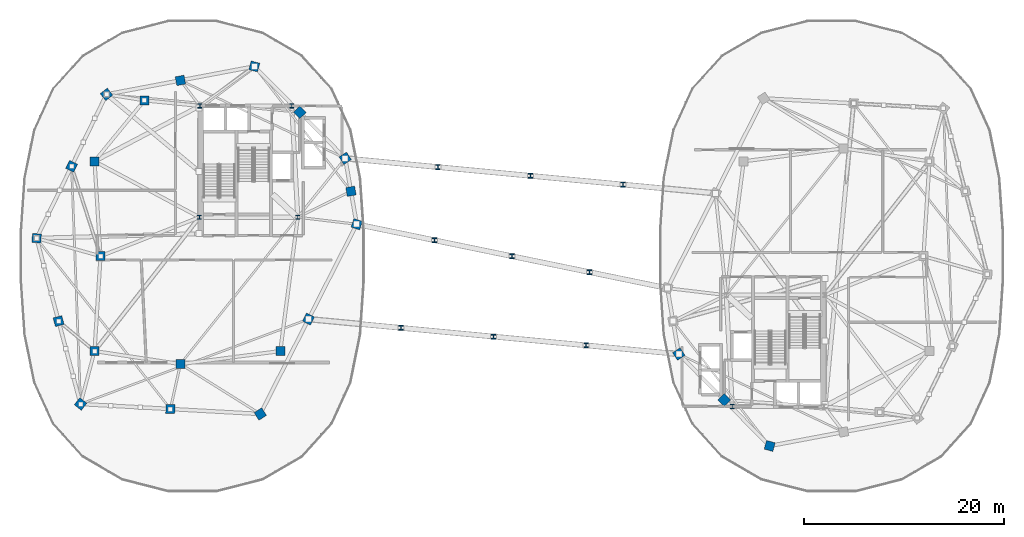
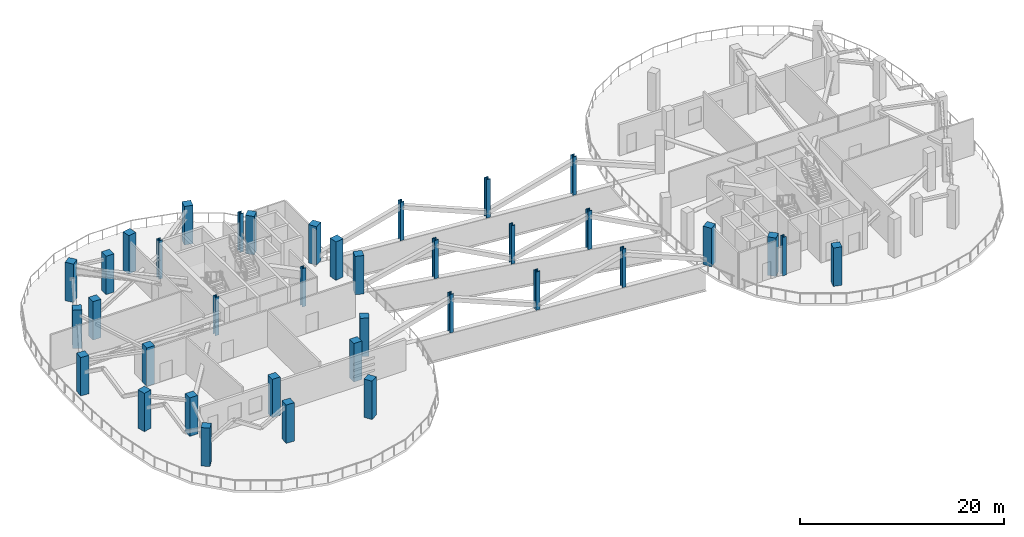
# One storey, part 1 of 16: 37 columns.
"""IFC4 building model written with IfcOpenShell, lengths in metres."""

from ifc_helpers import new_model, si_unit, direction, frame, origin, origin_2d, place, context, subcontext, project, spatial, rectangle, i_section, extrude, material, material_profile, profile_set, type_object, element, save


model = new_model("IFC4")

# Units and contexts
model_context = context("Model", 3, precision=1e-05, world=origin(), true_north=direction((0.0, 1.0)))
body_context = subcontext(model_context, "Body", "Model", "MODEL_VIEW")
ifc_project = project(units=[si_unit("LENGTHUNIT", "METRE"), si_unit("AREAUNIT", "SQUARE_METRE"), si_unit("VOLUMEUNIT", "CUBIC_METRE"), si_unit("PLANEANGLEUNIT", "RADIAN"), si_unit("MASSUNIT", "GRAM", prefix="KILO"), si_unit("THERMODYNAMICTEMPERATUREUNIT", "KELVIN"), si_unit("POWERUNIT", "WATT")], contexts=[model_context])

# Site, building, storey
site_placement = place(None, origin())
site = spatial("IfcSite", under=ifc_project, at=site_placement, CompositionType="ELEMENT")
building_placement = place(site_placement, origin())
building = spatial("IfcBuilding", under=site, at=building_placement, Name="Cundina Bronze Exchange", CompositionType="ELEMENT")
storey_placement = place(building_placement, frame((0.0, 0.0, 235.0)))
storey = spatial("IfcBuildingStorey", under=building, at=storey_placement, Name="L62", CompositionType="ELEMENT", Elevation=235.0)

# Columns
ifc_material_1 = material(Name="Steel ASTM A992 Grade 50", Category="steel")
ifc_material_profile_1 = material_profile(ifc_material_1, i_section(OverallWidth=0.431884765625, OverallDepth=0.498046875, WebThickness=0.0556640625, FlangeThickness=0.0888671875, FilletRadius=0.01806640625, at=origin_2d()), Name="W14X500", Category="steel")
ifc_profile_set_1 = profile_set([ifc_material_profile_1], Name="Steel ASTM A992 Grade 50")
column_type_1 = type_object("IfcColumnType", Name="COL-STL-W14A", PredefinedType="COLUMN", material=ifc_profile_set_1)
for number, where, z_axis, x_axis, name in (
    (1, (-11.106201171875, -7.175048828125, 0.0), (0.0, 0.0, 1.0), (1.0, 0.0, 0.0), "L62 Sky-Gate Bridge Column Y1-X1"),
    (2, (-1.83740234375, -8.050048828125, 0.0), (0.0, 0.0, 1.0), (1.0, 0.0, 0.0), "L62 Sky-Gate Bridge Column Y1-X2"),
    (3, (7.431396484375, -8.925048828125, 0.0), (0.0, 0.0, 1.0), (1.0, 0.0, 0.0), "L62 Sky-Gate Bridge Column Y1-X3"),
    (4, (-7.77490234375, 1.60009765625, 0.0), (0.0, 0.0, 1.0), (1.0, 0.0, 0.0), "L62 Sky-Gate Bridge Column Y2-X1"),
    (5, (0.0, 0.0, 0.0), (0.0, 0.0, 1.0), (1.0, 0.0, 0.0), "L62 Sky-Gate Bridge Column Y2-X2"),
    (6, (7.77490234375, -1.60009765625, 0.0), (0.0, 0.0, 1.0), (1.0, 0.0, 0.0), "L62 Sky-Gate Bridge Column Y2-X3"),
    (7, (-7.43115234375, 8.925048828125, 0.0), (0.0, 0.0, 1.0), (1.0, 0.0, 0.0), "L62 Sky-Gate Bridge Column Y3-X1"),
    (8, (1.83740234375, 8.050048828125, 0.0), (0.0, 0.0, 1.0), (1.0, 0.0, 0.0), "L62 Sky-Gate Bridge Column Y3-X2"),
    (9, (11.106201171875, 7.175048828125, 0.0), (0.0, 0.0, 1.0), (1.0, 0.0, 0.0), "L62 Sky-Gate Bridge Column Y3-X3"),
):
    element("IfcColumn", number, at=place(storey_placement, frame(where, z_axis=z_axis, x_axis=x_axis)), inside=storey, type_object=column_type_1, Name=name, PredefinedType="COLUMN", context=body_context, shape_type="SweptSolid", body=[
        extrude(i_section(OverallWidth=0.431884765625, OverallDepth=0.498046875, WebThickness=0.0556640625, FlangeThickness=0.0888671875, FilletRadius=0.01806640625, at=origin_2d()), origin(), (0.0, 0.0, 1.0), 4.60009765625),
    ])
ifc_material_profile_2 = material_profile(ifc_material_1, i_section(OverallWidth=0.416015625, OverallDepth=0.446044921875, WebThickness=0.0390625, FlangeThickness=0.062744140625, FilletRadius=0.01806640625, at=origin_2d()), Name="W14X342", Category="steel")
ifc_profile_set_2 = profile_set([ifc_material_profile_2], Name="Steel ASTM A992 Grade 50")
column_type_2 = type_object("IfcColumnType", Name="COL-STL-W14B", PredefinedType="COLUMN", material=ifc_profile_set_2)
for number, where, z_axis, x_axis, name in (
    (10, (-31.300048828125, 3.89990234375, 0.0), (0.0, 0.0, 1.0), (1.0, 0.0, 0.0), "L62 Core Anchor Column W1"),
    (11, (-21.449951171875, 3.89990234375, 0.0), (0.0, 0.0, 1.0), (1.0, 0.0, 0.0), "L62 Core Anchor Column W2"),
    (12, (-22.050048828125, 15.050048828125, 0.0), (0.0, 0.0, 1.0), (1.0, 0.0, 0.0), "L62 Core Anchor Column W3"),
    (13, (-31.25, 15.050048828125, 0.0), (0.0, 0.0, 1.0), (1.0, 0.0, 0.0), "L62 Core Anchor Column W4"),
    (14, (22.050048828125, -15.050048828125, 0.0), (0.0, 0.0, 1.0), (1.0, 0.0, 0.0), "L62 Core Anchor Column E3"),
):
    element("IfcColumn", number, at=place(storey_placement, frame(where, z_axis=z_axis, x_axis=x_axis)), inside=storey, type_object=column_type_2, Name=name, PredefinedType="COLUMN", context=body_context, shape_type="SweptSolid", body=[
        extrude(i_section(OverallWidth=0.416015625, OverallDepth=0.446044921875, WebThickness=0.0390625, FlangeThickness=0.062744140625, FilletRadius=0.01806640625, at=origin_2d()), origin(), (0.0, 0.0, 1.0), 4.60009765625),
    ])
ifc_material_2 = material(Name="Concrete C50/60", Category="concrete")
ifc_material_profile_3 = material_profile(ifc_material_2, rectangle(XDim=0.89990234375, YDim=0.89990234375, at=origin_2d()), Name="RC900X900", Category="concrete")
ifc_profile_set_3 = profile_set([ifc_material_profile_3], Name="Concrete C50/60")
column_type_3 = type_object("IfcColumnType", Name="COL-Z4-900", PredefinedType="COLUMN", material=ifc_profile_set_3)
for number, where, z_axis, x_axis, name in (
    (15, (-41.199951171875, 0.0, 0.0), (0.0, 0.0, 1.0), (1.0, 0.0, 0.0), "L62 W Inner Ring Column 1"),
    (16, (-41.800048828125, 9.5, 0.0), (0.0, 0.0, 1.0), (1.0, 0.0, 0.0), "L62 W Inner Ring Column 2"),
    (17, (-36.800048828125, 15.60009765625, 0.0), (0.0, 0.0, 1.0), (1.0, 0.0, 0.0), "L62 W Inner Ring Column 3"),
    (18, (-41.800048828125, -9.5, 0.0), (0.0, 0.0, 1.0), (1.0, 0.0, 0.0), "L62 W Inner Ring Column 4"),
    (19, (-33.199951171875, -10.800048828125, 0.0), (0.0, 0.0, 1.0), (1.0, 0.0, 0.0), "L62 W Inner Ring Column 5"),
    (20, (-23.199951171875, -9.5, 0.0), (0.0, 0.0, 1.0), (1.0, 0.0, 0.0), "L62 W Inner Ring Column 6"),
    (21, (-15.550048828125, 3.199951171875, 0.0), (0.0, 0.0, 1.0), (0.315152163383, 0.949041155016, 0.0), "L62 W Perimeter Column 00"),
    (22, (-16.125, 6.5, 0.0), (0.0, 0.0, 1.0), (-0.171585221787, 0.985169280715, 0.0), "L62 W Perimeter Column 01"),
    (23, (-16.699951171875, 9.800048828125, 0.0), (0.0, 0.0, 1.0), (-0.544199833495, 0.838955625301, 0.0), "L62 W Perimeter Column 02"),
    (24, (-21.25, 14.39990234375, 0.0), (0.0, 0.0, 1.0), (-0.703270634186, 0.710922228581, 0.0), "L62 W Perimeter Column 03"),
    (25, (-25.800048828125, 19.0, 0.0), (0.0, 0.0, 1.0), (-0.965970984022, 0.258650455301, 0.0), "L62 W Perimeter Column 04"),
    (26, (-33.199951171875, 17.60009765625, 0.0), (0.0, 0.0, 1.0), (-0.98258037664, -0.185838110843, 0.0), "L62 W Perimeter Column 05"),
    (27, (-40.60009765625, 16.199951171875, 0.0), (0.0, 0.0, 1.0), (-0.785100778485, -0.619368038909, 0.0), "L62 W Perimeter Column 06"),
    (28, (-44.10009765625, 9.0, 0.0), (0.0, 0.0, 1.0), (-0.437115766651, -0.899405251566, 0.0), "L62 W Perimeter Column 07"),
    (29, (-47.60009765625, 1.800048828125, 0.0), (0.0, 0.0, 1.0), (-0.083503921245, -0.996507448611, 0.0), "L62 W Perimeter Column 08"),
    (30, (-45.39990234375, -6.5, 0.0), (0.0, 0.0, 1.0), (0.256289373133, -0.966600102017, 0.0), "L62 W Perimeter Column 09"),
    (31, (-43.199951171875, -14.800048828125, 0.0), (0.0, 0.0, 1.0), (0.786288432137, -0.61785961309, 0.0), "L62 W Perimeter Column 10"),
    (32, (-34.199951171875, -15.300048828125, 0.0), (0.0, 0.0, 1.0), (0.998460188734, -0.055472980025, 0.0), "L62 W Perimeter Column 11"),
    (33, (-25.199951171875, -15.800048828125, 0.0), (0.0, 0.0, 1.0), (0.838099763533, 0.545516989988, 0.0), "L62 W Perimeter Column 12"),
    (34, (-20.375, -6.300048828125, 0.0), (0.0, 0.0, 1.0), (0.452901591366, 0.891560513111, 0.0), "L62 W Perimeter Column 13"),
    (35, (16.699951171875, -9.800048828125, 0.0), (0.0, 0.0, 1.0), (0.544199833495, -0.838955625301, 0.0), "L62 E Perimeter Column 02"),
    (36, (21.25, -14.39990234375, 0.0), (0.0, 0.0, 1.0), (0.703270634186, -0.710922228581, 0.0), "L62 E Perimeter Column 03"),
    (37, (25.800048828125, -19.0, 0.0), (0.0, 0.0, 1.0), (0.965970984022, -0.258650455301, 0.0), "L62 E Perimeter Column 04"),
):
    element("IfcColumn", number, at=place(storey_placement, frame(where, z_axis=z_axis, x_axis=x_axis)), inside=storey, type_object=column_type_3, Name=name, PredefinedType="COLUMN", context=body_context, shape_type="SweptSolid", body=[
        extrude(rectangle(XDim=0.89990234375, YDim=0.89990234375, at=origin_2d()), origin(), (0.0, 0.0, 1.0), 4.60009765625),
    ])

save(model, "model.ifc")
